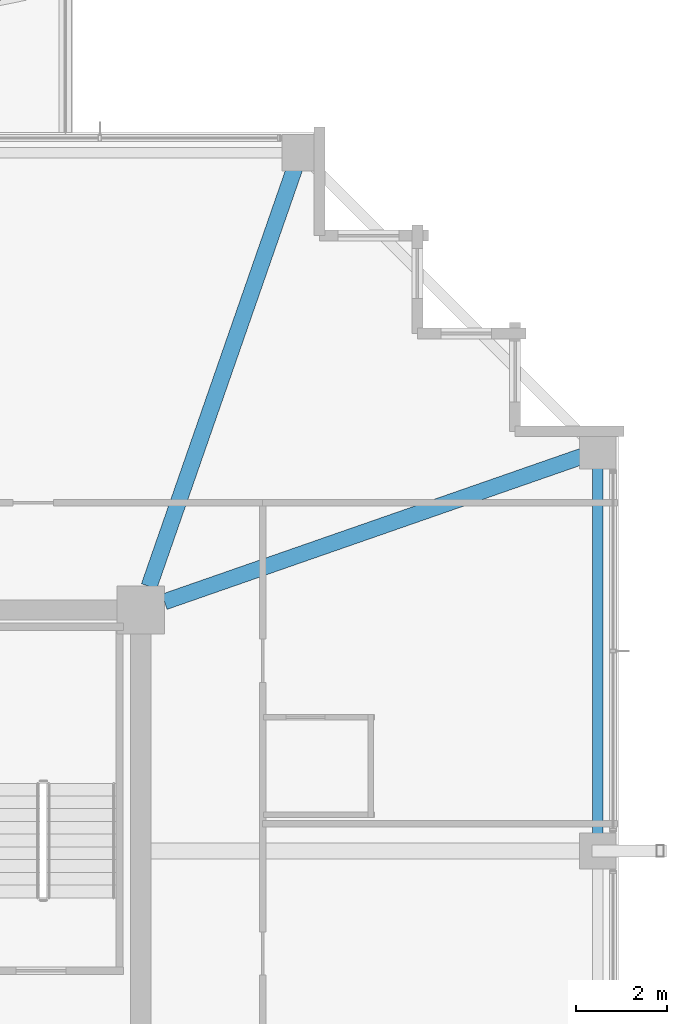
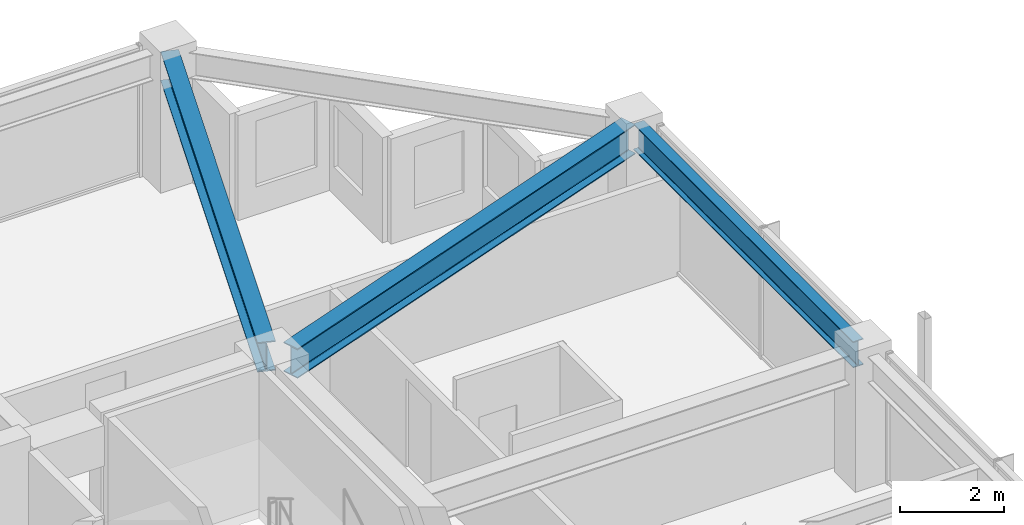
# One storey, part 22 of 38: 3 beams.
"""IFC4 building model written with IfcOpenShell, lengths in metres."""

from ifc_helpers import new_model, si_unit, direction, frame, origin, origin_2d, place, context, subcontext, project, spatial, i_section, extrude, material, material_profile, profile_set, type_object, element, save


model = new_model("IFC4")

# Units and contexts
model_context = context("Model", 3, precision=1e-05, world=origin(), true_north=direction((0.0, 1.0)))
body_context = subcontext(model_context, "Body", "Model", "MODEL_VIEW")
ifc_project = project(units=[si_unit("LENGTHUNIT", "METRE"), si_unit("AREAUNIT", "SQUARE_METRE"), si_unit("VOLUMEUNIT", "CUBIC_METRE"), si_unit("PLANEANGLEUNIT", "RADIAN"), si_unit("MASSUNIT", "GRAM", prefix="KILO")], contexts=[model_context])

# Site, building, storey
site_placement = place(None, origin())
site = spatial("IfcSite", under=ifc_project, at=site_placement, CompositionType="ELEMENT")
building_placement = place(site_placement, origin())
building = spatial("IfcBuilding", under=site, at=building_placement, Name="Kolvaren Belvedere", CompositionType="ELEMENT")
storey_placement = place(building_placement, frame((0.0, 0.0, 213.0)))
storey = spatial("IfcBuildingStorey", under=building, at=storey_placement, Name="L62", CompositionType="ELEMENT", Elevation=213.0)

# Beams
ifc_material_1 = material(Name="Structural steel ASTM A992 Grade 50", Category="steel")
ifc_material_profile_1 = material_profile(ifc_material_1, i_section(OverallWidth=0.35498046875, OverallDepth=0.696044921875, WebThickness=0.015380859375, FlangeThickness=0.02490234375, FilletRadius=0.02197265625, at=origin_2d()), Name="W27X146")
ifc_profile_set_1 = profile_set([ifc_material_profile_1], Name="Structural steel ASTM A992 Grade 50")
beam_type_1 = type_object("IfcBeamType", Name="BM-GIRD-W27X146", PredefinedType="BEAM", material=ifc_profile_set_1)
for number, where, z_axis, x_axis, name in (
    (1, (10.080810546875, 10.41943359375, 2.73193359375), (0.328898147971, 0.944365399758, 0.0), (-0.944365399758, 0.328898147971, 0.0), "L62 Corner Core-to-Perimeter Girder CC3-N4"),
    (2, (10.41943359375, 10.080810546875, 2.73193359375), (0.944365399758, 0.328898147971, 0.0), (-0.328898147971, 0.944365399758, 0.0), "L62 Corner Core-to-Perimeter Girder CC3-E4"),
):
    element("IfcBeam", number, at=place(storey_placement, frame(where, z_axis=z_axis, x_axis=x_axis)), inside=storey, type_object=beam_type_1, Name=name, PredefinedType="BEAM", context=body_context, shape_type="SweptSolid", body=[
        extrude(i_section(OverallWidth=0.35498046875, OverallDepth=0.696044921875, WebThickness=0.015380859375, FlangeThickness=0.02490234375, FilletRadius=0.02197265625, at=origin_2d()), origin(), (0.0, 0.0, 1.0), 9.931884765625),
    ])
ifc_material_2 = material(Name="Structural steel ASTM A992 Grade 50", Category="steel")
ifc_material_profile_2 = material_profile(ifc_material_2, i_section(OverallWidth=0.22900390625, OverallDepth=0.612060546875, WebThickness=0.011962890625, FlangeThickness=0.01953125, FilletRadius=0.01806640625, at=origin_2d()), Name="W24X84")
ifc_profile_set_2 = profile_set([ifc_material_profile_2], Name="Structural steel ASTM A992 Grade 50")
beam_type_2 = type_object("IfcBeamType", Name="BM-SPAN-W24X84", PredefinedType="SPANDREL", material=ifc_profile_set_2)
beam_placement = place(storey_placement, frame((19.949951171875, 4.780029296875, 2.77392578125), z_axis=(0.0, 1.0, 0.0), x_axis=(-1.0, 0.0, 0.0)))
element("IfcBeam", 3, at=beam_placement, inside=storey, type_object=beam_type_2, Name="L62 Perimeter Spandrel E3-E4", PredefinedType="SPANDREL", context=body_context, shape_type="SweptSolid", body=[
    extrude(i_section(OverallWidth=0.22900390625, OverallDepth=0.612060546875, WebThickness=0.011962890625, FlangeThickness=0.01953125, FilletRadius=0.01806640625, at=origin_2d()), origin(), (0.0, 0.0, 1.0), 8.43994140625),
])

save(model, "model.ifc")
